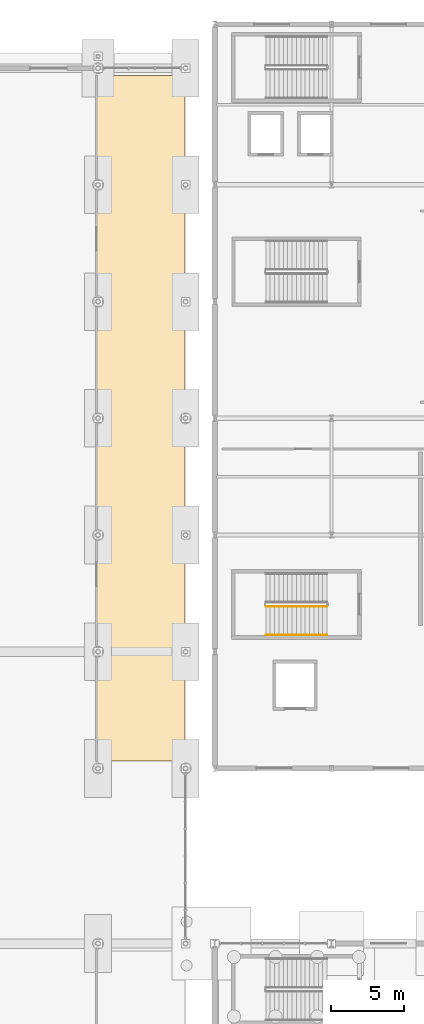
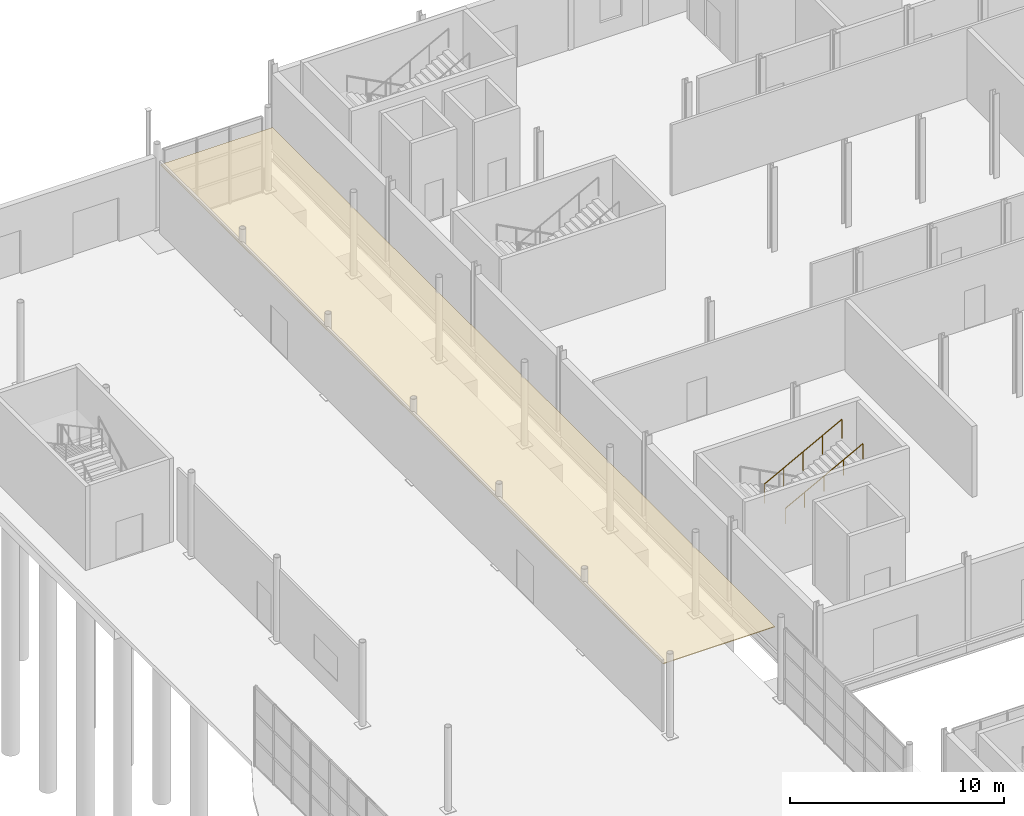
# One storey, part 96 of 101: 2 railings, 1 covering.
"""IFC4 building model written with IfcOpenShell, lengths in metres."""

from ifc_helpers import new_model, si_unit, derived_unit, direction, frame, origin, origin_2d, place, context, subcontext, project, spatial, polyline, circle, outline, extrude, material, layer, layer_set, type_object, element, save


model = new_model("IFC4")

# Units and contexts
model_context = context("Model", 3, precision=1e-05, world=origin(), true_north=direction((0.0, 1.0)))
body_context = subcontext(model_context, "Body", "Model", "MODEL_VIEW")
ifc_project = project(units=[si_unit("LENGTHUNIT", "METRE"), si_unit("AREAUNIT", "SQUARE_METRE"), si_unit("VOLUMEUNIT", "CUBIC_METRE"), si_unit("PLANEANGLEUNIT", "RADIAN"), si_unit("MASSUNIT", "GRAM", prefix="KILO"), derived_unit("THERMALTRANSMITTANCEUNIT", [(si_unit("POWERUNIT", "WATT"), 1), (si_unit("LENGTHUNIT", "METRE"), -2), (si_unit("THERMODYNAMICTEMPERATUREUNIT", "KELVIN"), -1)])], contexts=[model_context])

# Site, building, storey
site_placement = place(None, origin())
site = spatial("IfcSite", under=ifc_project, at=site_placement, CompositionType="ELEMENT")
building_placement = place(site_placement, origin())
building = spatial("IfcBuilding", under=site, at=building_placement, Name="Keldorne Ridge Multi-Sports Centre", CompositionType="ELEMENT")
storey_placement = place(building_placement, origin())
storey = spatial("IfcBuildingStorey", under=building, at=storey_placement, Name="L00", CompositionType="ELEMENT", Elevation=0.0)

# Covering
ifc_material_1 = material(Name="Perforated acoustic mineral ceiling")
ifc_layer = layer(ifc_material_1, 0.0400390625)
ifc_layer_set = layer_set([ifc_layer])
covering_type = type_object("IfcCoveringType", Name="COV-CL-01", PredefinedType="CEILING", material=ifc_layer_set)
covering_placement = place(storey_placement, frame((0.0, 0.0, 3.85009765625)))
element("IfcCovering", 1, at=covering_placement, inside=storey, type_object=covering_type, Name="North Foyer acoustic ceiling", PredefinedType="CEILING", context=body_context, shape_type="SweptSolid", body=[
    extrude(outline(polyline([(95.89990234375, 66.5), (101.949951171875, 66.5), (101.949951171875, 113.5), (95.89990234375, 113.5), (95.89990234375, 66.5)])), origin(), (0.0, 0.0, 1.0), 0.039794921875),
])

# Railings
ifc_material_2 = material(Name="Laminated glass and stainless steel", Category="steel")
railing_type_1 = type_object("IfcRailingType", Name="RLG-BL-01", PredefinedType="BALUSTRADE", material=ifc_material_2)
railing_1_placement = place(storey_placement, frame((107.5, 77.110107421875, 2.56005859375)))
element("IfcRailing", 2, at=railing_1_placement, inside=storey, type_object=railing_type_1, Name="L00 ST-02 stair guard 3", PredefinedType="BALUSTRADE", context=body_context, shape_type="SweptSolid", body=[
    extrude(circle(Radius=0.02392578125, at=origin_2d()), frame((0.0, 0.0, 1.076171875), z_axis=(0.882351521365, 0.0, 0.470590897432), x_axis=(0.0, 1.0, 0.0)), (0.0, 0.0, 1.0), 4.760009765625),
    extrude(circle(Radius=0.02099609375, at=origin_2d()), origin(), (0.0, 0.0, 1.0), 1.052001953125),
    extrude(circle(Radius=0.02099609375, at=origin_2d()), frame((1.050048828125, 0.0, 0.56005859375)), (0.0, 0.0, 1.0), 1.052001953125),
    extrude(circle(Radius=0.02099609375, at=origin_2d()), frame((2.10009765625, 0.0, 1.1201171875)), (0.0, 0.0, 1.0), 1.052001953125),
    extrude(circle(Radius=0.02099609375, at=origin_2d()), frame((3.14990234375, 0.0, 1.679931640625)), (0.0, 0.0, 1.0), 1.052001953125),
    extrude(circle(Radius=0.02099609375, at=origin_2d()), frame((4.199951171875, 0.0, 2.239990234375)), (0.0, 0.0, 1.0), 1.052001953125),
])
ifc_material_3 = material(Name="Stainless steel", Category="steel")
railing_type_2 = type_object("IfcRailingType", Name="RLG-HR-01", PredefinedType="HANDRAIL", material=ifc_material_3)
railing_2_placement = place(storey_placement, frame((107.5, 75.14990234375, 2.56005859375)))
element("IfcRailing", 3, at=railing_2_placement, inside=storey, type_object=railing_type_2, Name="L00 ST-02 stair handrail 2", PredefinedType="HANDRAIL", context=body_context, shape_type="SweptSolid", body=[
    extrude(circle(Radius=0.02392578125, at=origin_2d()), frame((0.0, 0.0, 0.8759765625), z_axis=(0.882351521365, 0.0, 0.470590897432), x_axis=(0.0, 1.0, 0.0)), (0.0, 0.0, 1.0), 4.760009765625),
    extrude(circle(Radius=0.02099609375, at=origin_2d()), origin(), (0.0, 0.0, 1.0), 0.851806640625),
    extrude(circle(Radius=0.02099609375, at=origin_2d()), frame((1.050048828125, 0.0, 0.56005859375)), (0.0, 0.0, 1.0), 0.851806640625),
    extrude(circle(Radius=0.02099609375, at=origin_2d()), frame((2.10009765625, 0.0, 1.1201171875)), (0.0, 0.0, 1.0), 0.851806640625),
    extrude(circle(Radius=0.02099609375, at=origin_2d()), frame((3.14990234375, 0.0, 1.679931640625)), (0.0, 0.0, 1.0), 0.851806640625),
    extrude(circle(Radius=0.02099609375, at=origin_2d()), frame((4.199951171875, 0.0, 2.239990234375)), (0.0, 0.0, 1.0), 0.851806640625),
])

save(model, "model.ifc")
